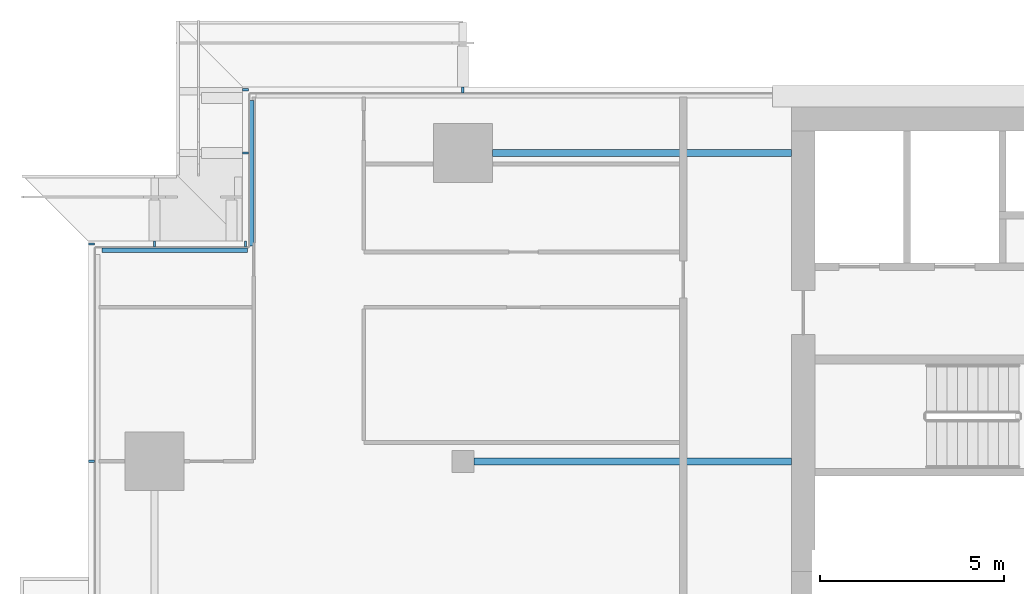
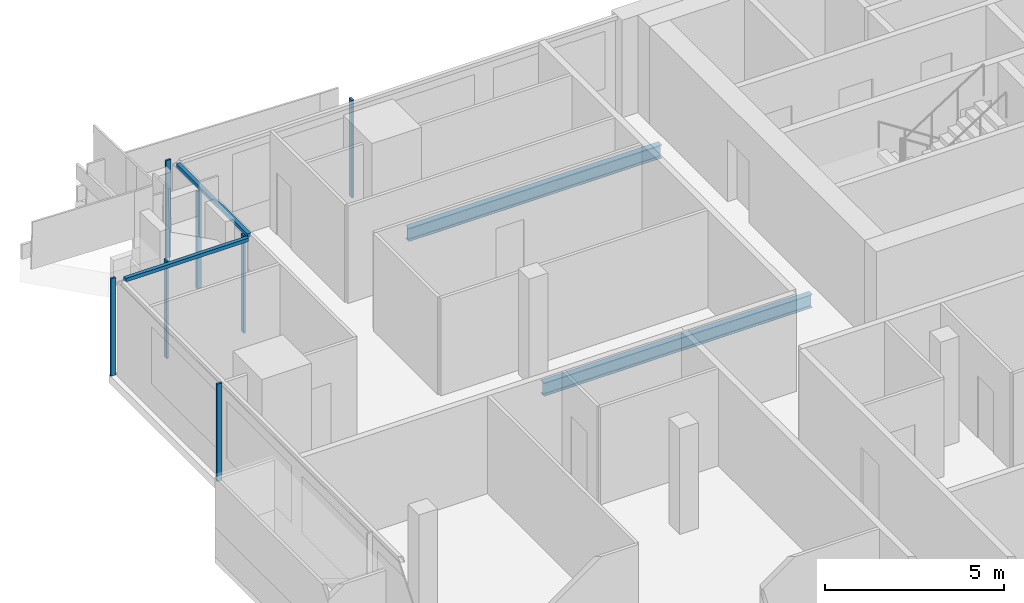
# One storey, part 8 of 30: 9 members, 2 beams, 4 elements without a shape of their own.
"""IFC4 building model written with IfcOpenShell, lengths in metres."""

import ifcopenshell
import ifcopenshell.guid

model = None  # the IFC model being written
_history = None  # IfcOwnerHistory: only IFC2X3 demands one
_inside = {}  # id of a spatial element -> (the spatial element, [elements in it])
_under = {}  # id of a project, library or spatial element -> (it, [spatial elements below it])
_declared = {}  # id of a project -> (the project, [libraries it declares])
_typed = {}  # id of a type object -> (the type object, [elements of that type])
_made_of = {}  # id of a material, layer set ... -> (it, [elements and type objects made of it])


def new_model(schema):
    """Start an empty IFC model of exactly this schema.

    Asked for "IFC4X3", IfcOpenShell would pick the latest addendum, in which some entities
    have other attributes; the version numbers below select the first issue.
    IFC2X3 requires an IfcOwnerHistory on every rooted entity: one is made here for all.
    """
    global model, _history
    if schema == "IFC4X3":
        model = ifcopenshell.file(schema_version=(4, 3, 0, 0))
    else:
        model = ifcopenshell.file(schema=schema)
    _inside.clear()
    _under.clear()
    _declared.clear()
    _typed.clear()
    _made_of.clear()
    _history = None
    if model.schema == "IFC2X3":
        org = make("IfcOrganization", Name="unknown")
        user = make(
            "IfcPersonAndOrganization",
            ThePerson=make("IfcPerson", FamilyName="unknown"),
            TheOrganization=org,
        )
        app = make(
            "IfcApplication",
            ApplicationDeveloper=org,
            Version="unknown",
            ApplicationFullName="unknown",
            ApplicationIdentifier="unknown",
        )
        _history = make(
            "IfcOwnerHistory",
            OwningUser=user,
            OwningApplication=app,
            ChangeAction="ADDED",
            CreationDate=0,
        )
    return model


def make(cls, **values):
    """One entity of the class cls with the attributes given. An attribute that is None is left unset."""
    return model.create_entity(
        cls, **{name: value for name, value in values.items() if value is not None}
    )


def rooted(cls, **values):
    """An entity with a GlobalId (a new one), such as an element, a storey or a relation."""
    return make(cls, GlobalId=ifcopenshell.guid.new(), OwnerHistory=_history, **values)


def si_unit(unit_type, name, prefix=None):
    """IfcSIUnit, for example si_unit("LENGTHUNIT", "METRE", prefix="MILLI")."""
    return make("IfcSIUnit", UnitType=unit_type, Prefix=prefix, Name=name)


def assignment(units):
    """IfcUnitAssignment: the units of a project."""
    return None if units is None else make("IfcUnitAssignment", Units=units)


def point(xyz):
    """IfcCartesianPoint."""
    return None if xyz is None else make("IfcCartesianPoint", Coordinates=xyz)


def direction(xyz):
    """IfcDirection."""
    return None if xyz is None else make("IfcDirection", DirectionRatios=xyz)


def frame(location, z_axis=None, x_axis=None):
    """IfcAxis2Placement3D, a coordinate frame: its origin and axes. An axis left out is left unset."""
    return make(
        "IfcAxis2Placement3D",
        Location=point(location),
        Axis=direction(z_axis),
        RefDirection=direction(x_axis),
    )


def frame_2d(location, x_axis=None):
    """IfcAxis2Placement2D, a coordinate frame in the plane: its origin and x axis."""
    return make(
        "IfcAxis2Placement2D", Location=point(location), RefDirection=direction(x_axis)
    )


def origin():
    """The frame at (0, 0, 0) with its axes left unset."""
    return frame((0.0, 0.0, 0.0))


def origin_2d():
    """The frame at (0, 0) in the plane with its x axis left unset."""
    return frame_2d((0.0, 0.0))


def place(relative_to, where):
    """IfcLocalPlacement: puts the frame where relative to a parent placement (None: the world)."""
    return make(
        "IfcLocalPlacement", PlacementRelTo=relative_to, RelativePlacement=where
    )


def context(
    kind, dimensions, precision=None, world=None, true_north=None, identifier=None
):
    """IfcGeometricRepresentationContext, for example the 3D "Model" context."""
    return make(
        "IfcGeometricRepresentationContext",
        ContextIdentifier=identifier,
        ContextType=kind,
        CoordinateSpaceDimension=dimensions,
        Precision=precision,
        WorldCoordinateSystem=world,
        TrueNorth=true_north,
    )


def subcontext(parent, identifier, kind, view, scale=None):
    """IfcGeometricRepresentationSubContext, for example "Body" below "Model"."""
    return make(
        "IfcGeometricRepresentationSubContext",
        ContextIdentifier=identifier,
        ContextType=kind,
        ParentContext=parent,
        TargetScale=scale,
        TargetView=view,
    )


def project(units=None, contexts=None):
    """IfcProject with its units and contexts."""
    return rooted(
        "IfcProject",
        Name="project",
        RepresentationContexts=contexts,
        UnitsInContext=assignment(units),
    )


def spatial(cls, under=None, at=None, **own):
    """A site, building, storey or space (cls), placed at a placement, below another one or the project."""
    s = rooted(cls, ObjectPlacement=at, **own)
    if under is not None:
        _under.setdefault(under.id(), (under, []))[1].append(s)
    return s


def profile(cls, at=None, kind="AREA", **sizes):
    """A parametric profile (cls). Its sizes go by their IFC names, for example OverallWidth=200.0."""
    return make(cls, ProfileType=kind, Position=at, **sizes)


def rectangle(**sizes):
    """IfcRectangleProfileDef."""
    return profile("IfcRectangleProfileDef", **sizes)


def i_section(**sizes):
    """IfcIShapeProfileDef."""
    return profile("IfcIShapeProfileDef", **sizes)


def extrude(swept, where, along, depth):
    """IfcExtrudedAreaSolid: the profile swept, set in the frame where, extruded along a direction by depth."""
    return make(
        "IfcExtrudedAreaSolid",
        SweptArea=swept,
        Position=where,
        ExtrudedDirection=direction(along),
        Depth=depth,
    )


def shape(context_of_items, identifier, shape_type, items):
    """IfcShapeRepresentation: the items that make up one representation, for example the "Body"."""
    return make(
        "IfcShapeRepresentation",
        ContextOfItems=context_of_items,
        RepresentationIdentifier=identifier,
        RepresentationType=shape_type,
        Items=items,
    )


def material(Name=None, Category=None):
    """IfcMaterial."""
    return make("IfcMaterial", Name=Name, Category=Category)


def material_profile(
    of_material, cross_section, Name=None, Category=None, Priority=None
):
    """IfcMaterialProfile: a cross section and its material."""
    return make(
        "IfcMaterialProfile",
        Name=Name,
        Material=of_material,
        Profile=cross_section,
        Priority=Priority,
        Category=Category,
    )


def profile_set(profiles, Name=None, composite=None):
    """IfcMaterialProfileSet."""
    return make(
        "IfcMaterialProfileSet",
        Name=Name,
        MaterialProfiles=profiles,
        CompositeProfile=composite,
    )


def made_of(thing, what):
    """Note that an element or type object is made of a material, layer set ...; save() writes the relation."""
    if what is not None:
        _made_of.setdefault(what.id(), (what, []))[1].append(thing)
    return thing


def type_object(cls, material=None, **own):
    """A type object (cls), such as IfcWallType, which elements share."""
    return made_of(rooted(cls, **own), material)


def element(
    cls,
    number,
    at=None,
    inside=None,
    cuts=None,
    type_object=None,
    material=None,
    context=None,
    identifier="Body",
    shape_type=None,
    held_by="IfcProductDefinitionShape",
    body=None,
    shapes=None,
    **own,
):
    """One element of the class cls, such as IfcWall. Its Tag is "e" and its number.

    at: its placement. inside: the storey or other place that contains it. cuts: it is an
    opening in that element (IfcRelVoidsElement). A single representation is given by context,
    identifier, shape_type and body (its items); several are given by shapes. held_by: the class
    of the entity that holds the representations. save() writes the other relations.
    """
    e = rooted(cls, Tag="e%d" % number, ObjectPlacement=at, **own)
    if body is not None:
        shapes = [shape(context, identifier, shape_type, body)]
    if shapes is not None:
        e.Representation = make(held_by, Representations=shapes)
    if inside is not None:
        _inside.setdefault(inside.id(), (inside, []))[1].append(e)
    if cuts is not None:
        rooted(
            "IfcRelVoidsElement", RelatingBuildingElement=cuts, RelatedOpeningElement=e
        )
    if type_object is not None:
        _typed.setdefault(type_object.id(), (type_object, []))[1].append(e)
    return made_of(e, material)


def aggregate(whole, parts):
    """IfcRelAggregates: a whole, such as a stair, and the parts it consists of."""
    return rooted("IfcRelAggregates", RelatingObject=whole, RelatedObjects=parts)


def save(model, path):
    """Write the relations noted so far, then the file.

    IfcRelAggregates (storeys below a building ...), IfcRelContainedInSpatialStructure (elements
    in a storey), IfcRelDefinesByType, IfcRelAssociatesMaterial and IfcRelDeclares: one each for
    every whole, place, type object, material and project.
    """
    for whole, parts in _under.values():
        aggregate(whole, parts)
    for where, things in _inside.values():
        rooted(
            "IfcRelContainedInSpatialStructure",
            RelatedElements=things,
            RelatingStructure=where,
        )
    for kind, things in _typed.values():
        rooted("IfcRelDefinesByType", RelatedObjects=things, RelatingType=kind)
    for what, things in _made_of.values():
        rooted("IfcRelAssociatesMaterial", RelatedObjects=things, RelatingMaterial=what)
    for by, libraries in _declared.values():
        rooted("IfcRelDeclares", RelatingContext=by, RelatedDefinitions=libraries)
    model.write(path)


model = new_model("IFC4")

# Units and contexts
model_context = context("Model", 3, precision=1e-05, world=origin(), true_north=direction((0.0, 1.0)))
body_context = subcontext(model_context, "Body", "Model", "MODEL_VIEW")
ifc_project = project(units=[si_unit("LENGTHUNIT", "METRE"), si_unit("AREAUNIT", "SQUARE_METRE"), si_unit("VOLUMEUNIT", "CUBIC_METRE"), si_unit("PLANEANGLEUNIT", "RADIAN"), si_unit("MASSUNIT", "GRAM", prefix="KILO")], contexts=[model_context])

# Site, building, storey
site_placement = place(None, origin())
site = spatial("IfcSite", under=ifc_project, at=site_placement, CompositionType="ELEMENT")
building_placement = place(site_placement, origin())
building = spatial("IfcBuilding", under=site, at=building_placement, Name="Saffron Gate Tower", CompositionType="ELEMENT")
storey_placement = place(building_placement, frame((0.0, 0.0, 216.300048828125)))
storey = spatial("IfcBuildingStorey", under=building, at=storey_placement, Name="L52", CompositionType="ELEMENT", Elevation=216.300048828125)

# Beams
ifc_material_1 = material(Name="Structural steel S355", Category="steel")
ifc_material_profile_1 = material_profile(ifc_material_1, i_section(OverallWidth=0.18994140625, OverallDepth=0.449951171875, WebThickness=0.009521484375, FlangeThickness=0.0146484375, FilletRadius=0.02099609375, at=origin_2d()))
ifc_profile_set_1 = profile_set([ifc_material_profile_1], Name="Structural steel S355")
beam_type = type_object("IfcBeamType", Name="B6 IPE 450", PredefinedType="BEAM", material=ifc_profile_set_1)
beam_1_placement = place(storey_placement, frame((58.5, 65.39990234375, -0.505126953125), z_axis=(1.0, 0.0, 0.0), x_axis=(0.0, 1.0, 0.0)))
element("IfcBeam", 1, at=beam_1_placement, inside=storey, type_object=beam_type, Name="B6 CORE TIE BEAM", PredefinedType="BEAM", context=body_context, shape_type="SweptSolid", body=[
    extrude(i_section(OverallWidth=0.18994140625, OverallDepth=0.449951171875, WebThickness=0.009521484375, FlangeThickness=0.0146484375, FilletRadius=0.02099609375, at=origin_2d()), origin(), (0.0, 0.0, 1.0), 8.64990234375),
])
beam_2_placement = place(storey_placement, frame((59.0, 73.800048828125, -0.505126953125), z_axis=(1.0, 0.0, 0.0), x_axis=(0.0, 1.0, 0.0)))
element("IfcBeam", 2, at=beam_2_placement, inside=storey, type_object=beam_type, Name="B6 CORE TIE BEAM", PredefinedType="BEAM", context=body_context, shape_type="SweptSolid", body=[
    extrude(i_section(OverallWidth=0.18994140625, OverallDepth=0.449951171875, WebThickness=0.009521484375, FlangeThickness=0.0146484375, FilletRadius=0.02099609375, at=origin_2d()), origin(), (0.0, 0.0, 1.0), 8.14990234375),
])

# Curtain wall, members
ifc_material_2 = material(Name="Aluminium, bronze anodised", Category="aluminium")
curtain_wall_type_1 = type_object("IfcCurtainWallType", Name="CWS2 curtain wall side facades", PredefinedType="NOTDEFINED", material=ifc_material_2)
curtain_wall_1_placement = place(storey_placement, origin())
curtain_wall_1 = element("IfcCurtainWall", 3, at=curtain_wall_1_placement, inside=storey, type_object=curtain_wall_type_1, Name="CWS2 run 10", PredefinedType="NOTDEFINED")
ifc_material_profile_2 = material_profile(ifc_material_2, rectangle(XDim=0.159912109375, YDim=0.06005859375, at=origin_2d()))
ifc_profile_set_2 = profile_set([ifc_material_profile_2], Name="Aluminium, bronze anodised")
member_type_1 = type_object("IfcMemberType", Name="CWS2 mullion 60x160", PredefinedType="MULLION", material=ifc_profile_set_2)
member_1_placement = place(storey_placement, frame((48.080078125, 71.320068359375, 0.0), z_axis=(0.0, 0.0, 1.0), x_axis=(1.0, 0.0, 0.0)))
member_1 = element("IfcMember", 4, at=member_1_placement, type_object=member_type_1, Name="CWS2 mullion 1", PredefinedType="MULLION", context=body_context, shape_type="SweptSolid", body=[
    extrude(rectangle(XDim=0.159912109375, YDim=0.06005859375, at=origin_2d()), origin(), (0.0, 0.0, 1.0), 3.320068359375),
])
member_2_placement = place(storey_placement, frame((48.080078125, 65.39990234375, 0.0), z_axis=(0.0, 0.0, 1.0), x_axis=(1.0, 0.0, 0.0)))
member_2 = element("IfcMember", 5, at=member_2_placement, type_object=member_type_1, Name="CWS2 mullion 2", PredefinedType="MULLION", context=body_context, shape_type="SweptSolid", body=[
    extrude(rectangle(XDim=0.159912109375, YDim=0.06005859375, at=origin_2d()), origin(), (0.0, 0.0, 1.0), 3.320068359375),
])
aggregate(curtain_wall_1, [member_1, member_2])

# Curtain wall, member
curtain_wall_type_2 = type_object("IfcCurtainWallType", Name="CWS3 curtain wall rear facade", PredefinedType="NOTDEFINED", material=ifc_material_2)
curtain_wall_2_placement = place(storey_placement, origin())
curtain_wall_2 = element("IfcCurtainWall", 6, at=curtain_wall_2_placement, inside=storey, type_object=curtain_wall_type_2, Name="CWS3 run 7", PredefinedType="NOTDEFINED")
ifc_material_profile_3 = material_profile(ifc_material_2, rectangle(XDim=0.159912109375, YDim=0.070068359375, at=origin_2d()))
ifc_profile_set_3 = profile_set([ifc_material_profile_3], Name="Aluminium, bronze anodised")
member_type_2 = type_object("IfcMemberType", Name="CWS3 mullion 70x160", PredefinedType="MULLION", material=ifc_profile_set_3)
member_3_placement = place(storey_placement, frame((58.199951171875, 75.52001953125, 0.0), z_axis=(0.0, 0.0, 1.0), x_axis=(0.0, -1.0, 0.0)))
member_3 = element("IfcMember", 7, at=member_3_placement, type_object=member_type_2, Name="CWS3 mullion 9", PredefinedType="MULLION", context=body_context, shape_type="SweptSolid", body=[
    extrude(rectangle(XDim=0.159912109375, YDim=0.070068359375, at=origin_2d()), origin(), (0.0, 0.0, 1.0), 3.320068359375),
])
aggregate(curtain_wall_2, [member_3])

curtain_wall_type_3 = type_object("IfcCurtainWallType", Name="CWS4 curtain wall corner returns", PredefinedType="NOTDEFINED", material=ifc_material_2)
curtain_wall_3_placement = place(storey_placement, origin())
curtain_wall_3 = element("IfcCurtainWall", 8, at=curtain_wall_3_placement, inside=storey, type_object=curtain_wall_type_3, Name="CWS4 run 8", PredefinedType="NOTDEFINED")
ifc_material_profile_4 = material_profile(ifc_material_2, rectangle(XDim=0.1201171875, YDim=0.1201171875, at=origin_2d()))
ifc_profile_set_4 = profile_set([ifc_material_profile_4], Name="Aluminium, bronze anodised")
member_type_3 = type_object("IfcMemberType", Name="CWS4 head transom", PredefinedType="USERDEFINED", material=ifc_profile_set_4)
member_4_placement = place(storey_placement, frame((52.447998046875, 75.23193359375, 3.260009765625), z_axis=(0.0, -1.0, 0.0), x_axis=(1.0, 0.0, 0.0)))
member_4 = element("IfcMember", 9, at=member_4_placement, type_object=member_type_3, Name="CWS4 head transom", ObjectType="TRANSOM", PredefinedType="USERDEFINED", context=body_context, shape_type="SweptSolid", body=[
    extrude(rectangle(XDim=0.1201171875, YDim=0.1201171875, at=origin_2d()), origin(), (0.0, 0.0, 1.0), 3.9599609375),
])

curtain_wall_4_placement = place(storey_placement, origin())
curtain_wall_4 = element("IfcCurtainWall", 10, at=curtain_wall_4_placement, inside=storey, type_object=curtain_wall_type_3, Name="CWS4 run 9", PredefinedType="NOTDEFINED")
member_5_placement = place(storey_placement, frame((52.327880859375, 71.152099609375, 3.260009765625), z_axis=(-1.0, 0.0, 0.0), x_axis=(0.0, -1.0, 0.0)))
member_5 = element("IfcMember", 11, at=member_5_placement, type_object=member_type_3, Name="CWS4 head transom", ObjectType="TRANSOM", PredefinedType="USERDEFINED", context=body_context, shape_type="SweptSolid", body=[
    extrude(rectangle(XDim=0.1201171875, YDim=0.1201171875, at=origin_2d()), origin(), (0.0, 0.0, 1.0), 3.9599609375),
])

# Member
ifc_material_profile_5 = material_profile(ifc_material_2, rectangle(XDim=0.159912109375, YDim=0.06005859375, at=origin_2d()))
ifc_profile_set_5 = profile_set([ifc_material_profile_5], Name="Aluminium, bronze anodised")
member_type_4 = type_object("IfcMemberType", Name="CWS4 mullion 60x160", PredefinedType="MULLION", material=ifc_profile_set_5)
member_6_placement = place(storey_placement, frame((52.280029296875, 75.52001953125, 0.0), z_axis=(0.0, 0.0, 1.0), x_axis=(1.0, 0.0, 0.0)))
member_6 = element("IfcMember", 12, at=member_6_placement, type_object=member_type_4, Name="CWS4 mullion 1", PredefinedType="MULLION", context=body_context, shape_type="SweptSolid", body=[
    extrude(rectangle(XDim=0.159912109375, YDim=0.06005859375, at=origin_2d()), origin(), (0.0, 0.0, 1.0), 3.320068359375),
])

member_7_placement = place(storey_placement, frame((52.280029296875, 73.800048828125, 0.0), z_axis=(0.0, 0.0, 1.0), x_axis=(1.0, 0.0, 0.0)))
member_7 = element("IfcMember", 13, at=member_7_placement, type_object=member_type_4, Name="CWS4 mullion 2", PredefinedType="MULLION", context=body_context, shape_type="SweptSolid", body=[
    extrude(rectangle(XDim=0.159912109375, YDim=0.06005859375, at=origin_2d()), origin(), (0.0, 0.0, 1.0), 3.320068359375),
])

aggregate(curtain_wall_3, [member_6, member_7, member_4])

member_8_placement = place(storey_placement, frame((52.280029296875, 71.320068359375, 0.0), z_axis=(0.0, 0.0, 1.0), x_axis=(0.0, -1.0, 0.0)))
member_8 = element("IfcMember", 14, at=member_8_placement, type_object=member_type_4, Name="CWS4 mullion 1", PredefinedType="MULLION", context=body_context, shape_type="SweptSolid", body=[
    extrude(rectangle(XDim=0.159912109375, YDim=0.06005859375, at=origin_2d()), origin(), (0.0, 0.0, 1.0), 3.320068359375),
])

member_9_placement = place(storey_placement, frame((49.800048828125, 71.320068359375, 0.0), z_axis=(0.0, 0.0, 1.0), x_axis=(0.0, -1.0, 0.0)))
member_9 = element("IfcMember", 15, at=member_9_placement, type_object=member_type_4, Name="CWS4 mullion 2", PredefinedType="MULLION", context=body_context, shape_type="SweptSolid", body=[
    extrude(rectangle(XDim=0.159912109375, YDim=0.06005859375, at=origin_2d()), origin(), (0.0, 0.0, 1.0), 3.320068359375),
])

aggregate(curtain_wall_4, [member_8, member_9, member_5])

save(model, "model.ifc")
